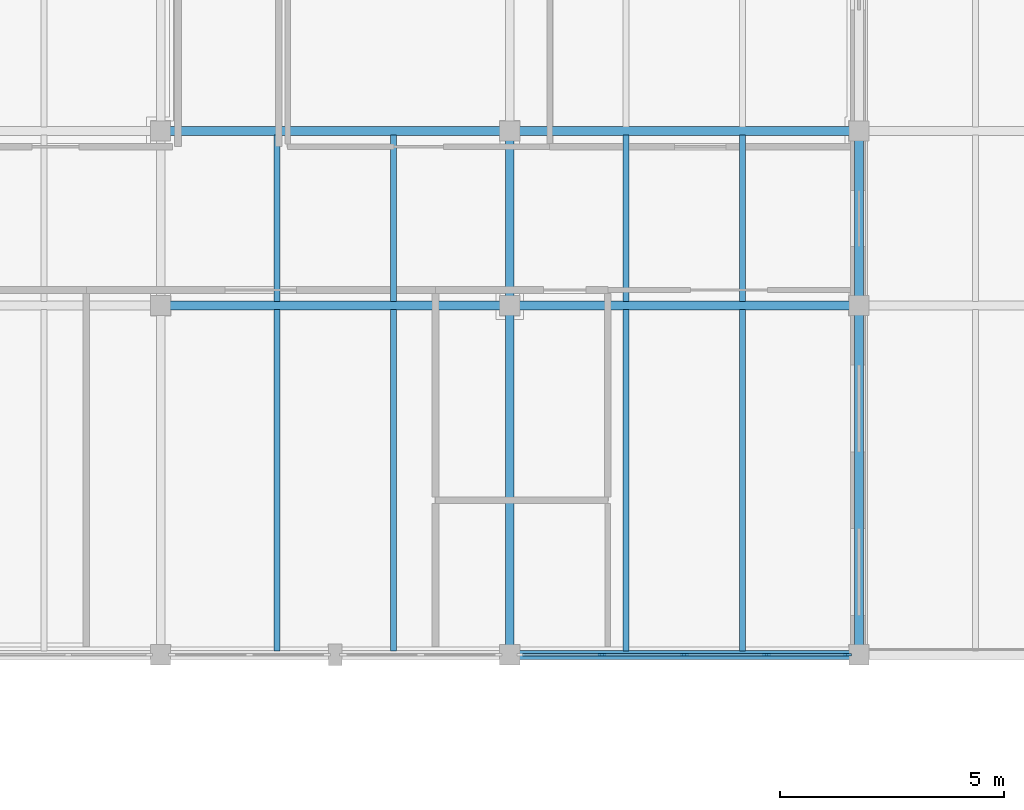
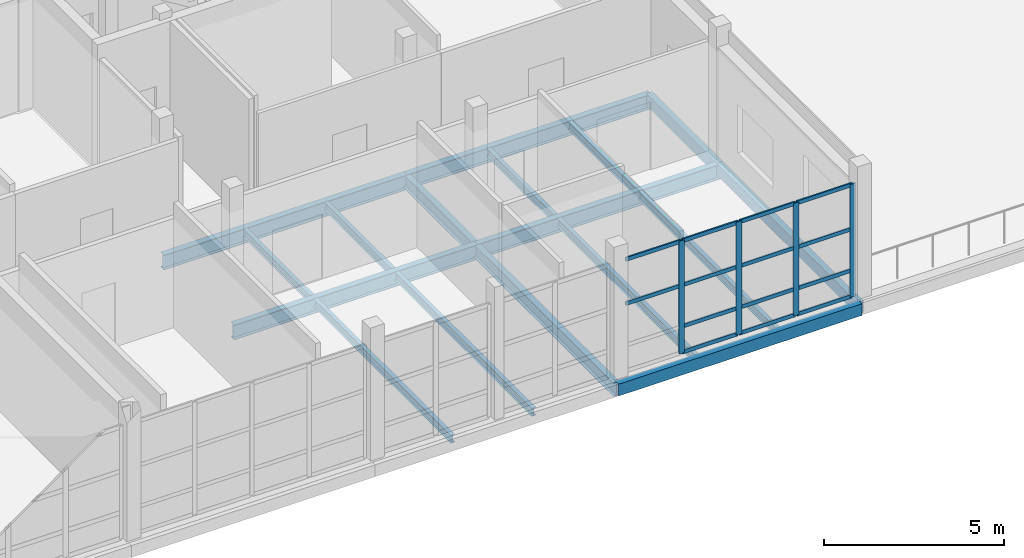
# One storey, part 11 of 45: 18 members, 17 beams, 1 element without a shape of its own.
"""IFC4 building model written with IfcOpenShell, lengths in metres."""

from ifc_helpers import new_model, si_unit, direction, frame, origin, origin_2d, place, context, subcontext, project, spatial, rectangle, hollow_rectangle, i_section, extrude, material, layer, layer_set, material_profile, profile_set, type_object, element, aggregate, save


model = new_model("IFC4")

# Units and contexts
model_context = context("Model", 3, precision=1e-05, world=origin(), true_north=direction((0.0, 1.0)))
body_context = subcontext(model_context, "Body", "Model", "MODEL_VIEW")
ifc_project = project(units=[si_unit("LENGTHUNIT", "METRE"), si_unit("AREAUNIT", "SQUARE_METRE"), si_unit("VOLUMEUNIT", "CUBIC_METRE"), si_unit("PLANEANGLEUNIT", "RADIAN"), si_unit("MASSUNIT", "GRAM", prefix="KILO")], contexts=[model_context])

# Site, building, storey
site_placement = place(None, origin())
site = spatial("IfcSite", under=ifc_project, at=site_placement, CompositionType="ELEMENT")
building_placement = place(site_placement, origin())
building = spatial("IfcBuilding", under=site, at=building_placement, Name="Celorna Specialist Clinic", CompositionType="ELEMENT")
storey_placement = place(building_placement, frame((0.0, 0.0, 18.60009765625)))
storey = spatial("IfcBuildingStorey", under=building, at=storey_placement, Name="L04", CompositionType="ELEMENT", Elevation=18.60009765625)

# Beams
ifc_material_1 = material(Name="Steel S355", Category="steel")
ifc_material_profile_1 = material_profile(ifc_material_1, i_section(OverallWidth=0.199951171875, OverallDepth=0.5, WebThickness=0.01025390625, FlangeThickness=0.01611328125, at=origin_2d()), Name="IPE 500")
ifc_profile_set_1 = profile_set([ifc_material_profile_1], Name="Steel S355")
beam_type_1 = type_object("IfcBeamType", Name="BM-08", PredefinedType="BEAM", material=ifc_profile_set_1)
for number, where, z_axis, x_axis, name in (
    (1, (78.0, 104.300048828125, -0.530029296875), (1.0, 0.0, 0.0), (0.0, 1.0, 0.0), "Primary girder BM-08 #1349"),
    (2, (85.800048828125, 104.300048828125, -0.530029296875), (1.0, 0.0, 0.0), (0.0, 1.0, 0.0), "Primary girder BM-08 #1350"),
    (3, (78.0, 108.199951171875, -0.530029296875), (1.0, 0.0, 0.0), (0.0, 1.0, 0.0), "Primary girder BM-08 #1355"),
    (4, (85.800048828125, 108.199951171875, -0.530029296875), (1.0, 0.0, 0.0), (0.0, 1.0, 0.0), "Primary girder BM-08 #1356"),
):
    element("IfcBeam", number, at=place(storey_placement, frame(where, z_axis=z_axis, x_axis=x_axis)), inside=storey, type_object=beam_type_1, Name=name, PredefinedType="BEAM", context=body_context, shape_type="SweptSolid", body=[
        extrude(i_section(OverallWidth=0.199951171875, OverallDepth=0.5, WebThickness=0.01025390625, FlangeThickness=0.01611328125, at=origin_2d()), origin(), (0.0, 0.0, 1.0), 7.800048828125),
    ])
ifc_material_profile_2 = material_profile(ifc_material_1, i_section(OverallWidth=0.18994140625, OverallDepth=0.449951171875, WebThickness=0.009521484375, FlangeThickness=0.0146484375, at=origin_2d()), Name="IPE 450")
ifc_profile_set_2 = profile_set([ifc_material_profile_2], Name="Steel S355")
beam_type_2 = type_object("IfcBeamType", Name="BM-09", PredefinedType="BEAM", material=ifc_profile_set_2)
beam_1_placement = place(storey_placement, frame((85.800048828125, 96.5, -0.505126953125), z_axis=(0.0, 1.0, 0.0), x_axis=(-1.0, 0.0, 0.0)))
element("IfcBeam", 5, at=beam_1_placement, inside=storey, type_object=beam_type_2, Name="Transverse girder BM-09 #1378", PredefinedType="BEAM", context=body_context, shape_type="SweptSolid", body=[
    extrude(i_section(OverallWidth=0.18994140625, OverallDepth=0.449951171875, WebThickness=0.009521484375, FlangeThickness=0.0146484375, at=origin_2d()), origin(), (0.0, 0.0, 1.0), 7.800048828125),
])
beam_2_placement = place(storey_placement, frame((85.800048828125, 104.300048828125, -0.505126953125), z_axis=(0.0, 1.0, 0.0), x_axis=(-1.0, 0.0, 0.0)))
element("IfcBeam", 6, at=beam_2_placement, inside=storey, type_object=beam_type_2, Name="Transverse girder BM-09 #1379", PredefinedType="BEAM", context=body_context, shape_type="SweptSolid", body=[
    extrude(i_section(OverallWidth=0.18994140625, OverallDepth=0.449951171875, WebThickness=0.009521484375, FlangeThickness=0.0146484375, at=origin_2d()), origin(), (0.0, 0.0, 1.0), 3.89990234375),
])
ifc_material_profile_3 = material_profile(ifc_material_1, i_section(OverallWidth=0.135009765625, OverallDepth=0.27001953125, WebThickness=0.006591796875, FlangeThickness=0.01025390625, at=origin_2d()), Name="IPE 270")
ifc_profile_set_3 = profile_set([ifc_material_profile_3], Name="Steel S355")
beam_type_3 = type_object("IfcBeamType", Name="BM-14", PredefinedType="JOIST", material=ifc_profile_set_3)
for number, where, z_axis, x_axis, name in (
    (7, (80.60009765625, 96.587890625, -0.4150390625), (0.0, 1.0, 0.0), (-1.0, 0.0, 0.0), "Secondary floor joist BM-14 #1406"),
    (8, (83.199951171875, 96.587890625, -0.4150390625), (0.0, 1.0, 0.0), (-1.0, 0.0, 0.0), "Secondary floor joist BM-14 #1407"),
):
    element("IfcBeam", number, at=place(storey_placement, frame(where, z_axis=z_axis, x_axis=x_axis)), inside=storey, type_object=beam_type_3, Name=name, PredefinedType="JOIST", context=body_context, shape_type="SweptSolid", body=[
        extrude(i_section(OverallWidth=0.135009765625, OverallDepth=0.27001953125, WebThickness=0.006591796875, FlangeThickness=0.01025390625, at=origin_2d()), origin(), (0.0, 0.0, 1.0), 7.6240234375),
    ])
for number, where, z_axis, x_axis, name in (
    (9, (80.60009765625, 104.387939453125, -0.4150390625), (0.0, 1.0, 0.0), (-1.0, 0.0, 0.0), "Secondary floor joist BM-14 #1408"),
    (10, (83.199951171875, 104.387939453125, -0.4150390625), (0.0, 1.0, 0.0), (-1.0, 0.0, 0.0), "Secondary floor joist BM-14 #1409"),
):
    element("IfcBeam", number, at=place(storey_placement, frame(where, z_axis=z_axis, x_axis=x_axis)), inside=storey, type_object=beam_type_3, Name=name, PredefinedType="JOIST", context=body_context, shape_type="SweptSolid", body=[
        extrude(i_section(OverallWidth=0.135009765625, OverallDepth=0.27001953125, WebThickness=0.006591796875, FlangeThickness=0.01025390625, at=origin_2d()), origin(), (0.0, 0.0, 1.0), 3.72412109375),
    ])
for number, where, z_axis, x_axis, name in (
    (11, (88.39990234375, 96.587890625, -0.4150390625), (0.0, 1.0, 0.0), (-1.0, 0.0, 0.0), "Secondary floor joist BM-14 #1410"),
    (12, (91.0, 96.587890625, -0.4150390625), (0.0, 1.0, 0.0), (-1.0, 0.0, 0.0), "Secondary floor joist BM-14 #1411"),
):
    element("IfcBeam", number, at=place(storey_placement, frame(where, z_axis=z_axis, x_axis=x_axis)), inside=storey, type_object=beam_type_3, Name=name, PredefinedType="JOIST", context=body_context, shape_type="SweptSolid", body=[
        extrude(i_section(OverallWidth=0.135009765625, OverallDepth=0.27001953125, WebThickness=0.006591796875, FlangeThickness=0.01025390625, at=origin_2d()), origin(), (0.0, 0.0, 1.0), 7.6240234375),
    ])
for number, where, z_axis, x_axis, name in (
    (13, (88.39990234375, 104.387939453125, -0.4150390625), (0.0, 1.0, 0.0), (-1.0, 0.0, 0.0), "Secondary floor joist BM-14 #1412"),
    (14, (91.0, 104.387939453125, -0.4150390625), (0.0, 1.0, 0.0), (-1.0, 0.0, 0.0), "Secondary floor joist BM-14 #1413"),
):
    element("IfcBeam", number, at=place(storey_placement, frame(where, z_axis=z_axis, x_axis=x_axis)), inside=storey, type_object=beam_type_3, Name=name, PredefinedType="JOIST", context=body_context, shape_type="SweptSolid", body=[
        extrude(i_section(OverallWidth=0.135009765625, OverallDepth=0.27001953125, WebThickness=0.006591796875, FlangeThickness=0.01025390625, at=origin_2d()), origin(), (0.0, 0.0, 1.0), 3.72412109375),
    ])
ifc_material_profile_4 = material_profile(ifc_material_1, hollow_rectangle(XDim=0.199951171875, YDim=0.39990234375, WallThickness=0.011962890625, at=origin_2d()), Name="RHS 200x400x12")
ifc_profile_set_4 = profile_set([ifc_material_profile_4], Name="Steel S355")
beam_type_4 = type_object("IfcBeamType", Name="BM-15", PredefinedType="SPANDREL", material=ifc_profile_set_4)
for number, where, z_axis, x_axis, name in (
    (15, (85.800048828125, 96.5, -0.47998046875), (1.0, 0.0, 0.0), (0.0, 1.0, 0.0), "Spandrel beam BM-15 #1344"),
    (16, (93.60009765625, 96.5, -0.47998046875), (0.0, 1.0, 0.0), (-1.0, 0.0, 0.0), "Spandrel beam BM-15 #1381"),
):
    element("IfcBeam", number, at=place(storey_placement, frame(where, z_axis=z_axis, x_axis=x_axis)), inside=storey, type_object=beam_type_4, Name=name, PredefinedType="SPANDREL", context=body_context, shape_type="SweptSolid", body=[
        extrude(hollow_rectangle(XDim=0.199951171875, YDim=0.39990234375, WallThickness=0.011962890625, at=origin_2d()), origin(), (0.0, 0.0, 1.0), 7.800048828125),
    ])
beam_3_placement = place(storey_placement, frame((93.60009765625, 104.300048828125, -0.47998046875), z_axis=(0.0, 1.0, 0.0), x_axis=(-1.0, 0.0, 0.0)))
element("IfcBeam", 17, at=beam_3_placement, inside=storey, type_object=beam_type_4, Name="Spandrel beam BM-15 #1382", PredefinedType="SPANDREL", context=body_context, shape_type="SweptSolid", body=[
    extrude(hollow_rectangle(XDim=0.199951171875, YDim=0.39990234375, WallThickness=0.011962890625, at=origin_2d()), origin(), (0.0, 0.0, 1.0), 3.89990234375),
])

# Curtain wall, members
ifc_material_2 = material(Name="Thermally broken aluminium and solar-control glass curtain wall", Category="aluminium")
ifc_layer = layer(ifc_material_2, 0.159912109375, Name="Thermally broken aluminium and solar-control glass curtain wall")
ifc_layer_set = layer_set([ifc_layer], Name="Thermally broken aluminium and solar-control glass curtain wall")
curtain_wall_type = type_object("IfcCurtainWallType", Name="CW-74", PredefinedType="NOTDEFINED", material=ifc_layer_set)
curtain_wall_placement = place(storey_placement, origin())
curtain_wall = element("IfcCurtainWall", 18, at=curtain_wall_placement, inside=storey, type_object=curtain_wall_type, Name="Curtain wall CW-74 #144", PredefinedType="NOTDEFINED")
ifc_material_3 = material(Name="Anodized aluminium mullion", Category="aluminium")
ifc_material_profile_5 = material_profile(ifc_material_3, rectangle(XDim=0.050048828125, YDim=0.179931640625, at=origin_2d()), Name="ALU MULLION 50x180")
ifc_profile_set_5 = profile_set([ifc_material_profile_5], Name="Anodized aluminium mullion")
member_type_1 = type_object("IfcMemberType", Name="ML-02", PredefinedType="MULLION", material=ifc_profile_set_5)
member_1_placement = place(storey_placement, frame((93.345947265625, 96.5, 0.0), z_axis=(0.0, 0.0, 1.0), x_axis=(0.0, -1.0, 0.0)))
member_1 = element("IfcMember", 19, at=member_1_placement, type_object=member_type_1, Name="CW-74 mullion 1", PredefinedType="MULLION", context=body_context, shape_type="SweptSolid", body=[
    extrude(rectangle(XDim=0.050048828125, YDim=0.179931640625, at=origin_2d()), origin(), (0.0, 0.0, 1.0), 3.81982421875),
])
member_2_placement = place(storey_placement, frame((91.535400390625, 96.5, 0.0), z_axis=(0.0, 0.0, 1.0), x_axis=(0.0, -1.0, 0.0)))
member_2 = element("IfcMember", 20, at=member_2_placement, type_object=member_type_1, Name="CW-74 mullion 2", PredefinedType="MULLION", context=body_context, shape_type="SweptSolid", body=[
    extrude(rectangle(XDim=0.050048828125, YDim=0.179931640625, at=origin_2d()), origin(), (0.0, 0.0, 1.0), 3.81982421875),
])
member_3_placement = place(storey_placement, frame((89.699951171875, 96.5, 0.0), z_axis=(0.0, 0.0, 1.0), x_axis=(0.0, -1.0, 0.0)))
member_3 = element("IfcMember", 21, at=member_3_placement, type_object=member_type_1, Name="CW-74 mullion 3", PredefinedType="MULLION", context=body_context, shape_type="SweptSolid", body=[
    extrude(rectangle(XDim=0.050048828125, YDim=0.179931640625, at=origin_2d()), origin(), (0.0, 0.0, 1.0), 3.81982421875),
])
member_4_placement = place(storey_placement, frame((87.864501953125, 96.5, 0.0), z_axis=(0.0, 0.0, 1.0), x_axis=(0.0, -1.0, 0.0)))
member_4 = element("IfcMember", 22, at=member_4_placement, type_object=member_type_1, Name="CW-74 mullion 4", PredefinedType="MULLION", context=body_context, shape_type="SweptSolid", body=[
    extrude(rectangle(XDim=0.050048828125, YDim=0.179931640625, at=origin_2d()), origin(), (0.0, 0.0, 1.0), 3.81982421875),
])
ifc_material_4 = material(Name="Anodized aluminium transom", Category="aluminium")
ifc_material_profile_6 = material_profile(ifc_material_4, rectangle(XDim=0.050048828125, YDim=0.1298828125, at=origin_2d()), Name="ALU TRANSOM 50x130")
ifc_profile_set_6 = profile_set([ifc_material_profile_6], Name="Anodized aluminium transom")
member_type_2 = type_object("IfcMemberType", Name="TR-01", PredefinedType="USERDEFINED", material=ifc_profile_set_6)
member_5_placement = place(storey_placement, frame((93.321044921875, 96.5, 0.02490234375), z_axis=(-1.0, 0.0, 0.0), x_axis=(0.0, -1.0, 0.0)))
member_5 = element("IfcMember", 23, at=member_5_placement, type_object=member_type_2, Name="CW-74 transom 1.1", ObjectType="TRANSOM", PredefinedType="USERDEFINED", context=body_context, shape_type="SweptSolid", body=[
    extrude(rectangle(XDim=0.050048828125, YDim=0.1298828125, at=origin_2d()), origin(), (0.0, 0.0, 1.0), 1.760498046875),
])
member_6_placement = place(storey_placement, frame((93.321044921875, 96.5, 0.89990234375), z_axis=(-1.0, 0.0, 0.0), x_axis=(0.0, -1.0, 0.0)))
member_6 = element("IfcMember", 24, at=member_6_placement, type_object=member_type_2, Name="CW-74 transom 1.2", ObjectType="TRANSOM", PredefinedType="USERDEFINED", context=body_context, shape_type="SweptSolid", body=[
    extrude(rectangle(XDim=0.050048828125, YDim=0.1298828125, at=origin_2d()), origin(), (0.0, 0.0, 1.0), 1.760498046875),
])
member_7_placement = place(storey_placement, frame((93.321044921875, 96.5, 2.2998046875), z_axis=(-1.0, 0.0, 0.0), x_axis=(0.0, -1.0, 0.0)))
member_7 = element("IfcMember", 25, at=member_7_placement, type_object=member_type_2, Name="CW-74 transom 1.3", ObjectType="TRANSOM", PredefinedType="USERDEFINED", context=body_context, shape_type="SweptSolid", body=[
    extrude(rectangle(XDim=0.050048828125, YDim=0.1298828125, at=origin_2d()), origin(), (0.0, 0.0, 1.0), 1.760498046875),
])
member_8_placement = place(storey_placement, frame((93.321044921875, 96.5, 3.794921875), z_axis=(-1.0, 0.0, 0.0), x_axis=(0.0, -1.0, 0.0)))
member_8 = element("IfcMember", 26, at=member_8_placement, type_object=member_type_2, Name="CW-74 transom 1.4", ObjectType="TRANSOM", PredefinedType="USERDEFINED", context=body_context, shape_type="SweptSolid", body=[
    extrude(rectangle(XDim=0.050048828125, YDim=0.1298828125, at=origin_2d()), origin(), (0.0, 0.0, 1.0), 1.760498046875),
])
member_9_placement = place(storey_placement, frame((91.510498046875, 96.5, 0.02490234375), z_axis=(-1.0, 0.0, 0.0), x_axis=(0.0, -1.0, 0.0)))
member_9 = element("IfcMember", 27, at=member_9_placement, type_object=member_type_2, Name="CW-74 transom 2.1", ObjectType="TRANSOM", PredefinedType="USERDEFINED", context=body_context, shape_type="SweptSolid", body=[
    extrude(rectangle(XDim=0.050048828125, YDim=0.1298828125, at=origin_2d()), origin(), (0.0, 0.0, 1.0), 1.785400390625),
])
member_10_placement = place(storey_placement, frame((91.510498046875, 96.5, 0.89990234375), z_axis=(-1.0, 0.0, 0.0), x_axis=(0.0, -1.0, 0.0)))
member_10 = element("IfcMember", 28, at=member_10_placement, type_object=member_type_2, Name="CW-74 transom 2.2", ObjectType="TRANSOM", PredefinedType="USERDEFINED", context=body_context, shape_type="SweptSolid", body=[
    extrude(rectangle(XDim=0.050048828125, YDim=0.1298828125, at=origin_2d()), origin(), (0.0, 0.0, 1.0), 1.785400390625),
])
member_11_placement = place(storey_placement, frame((91.510498046875, 96.5, 2.2998046875), z_axis=(-1.0, 0.0, 0.0), x_axis=(0.0, -1.0, 0.0)))
member_11 = element("IfcMember", 29, at=member_11_placement, type_object=member_type_2, Name="CW-74 transom 2.3", ObjectType="TRANSOM", PredefinedType="USERDEFINED", context=body_context, shape_type="SweptSolid", body=[
    extrude(rectangle(XDim=0.050048828125, YDim=0.1298828125, at=origin_2d()), origin(), (0.0, 0.0, 1.0), 1.785400390625),
])
member_12_placement = place(storey_placement, frame((91.510498046875, 96.5, 3.794921875), z_axis=(-1.0, 0.0, 0.0), x_axis=(0.0, -1.0, 0.0)))
member_12 = element("IfcMember", 30, at=member_12_placement, type_object=member_type_2, Name="CW-74 transom 2.4", ObjectType="TRANSOM", PredefinedType="USERDEFINED", context=body_context, shape_type="SweptSolid", body=[
    extrude(rectangle(XDim=0.050048828125, YDim=0.1298828125, at=origin_2d()), origin(), (0.0, 0.0, 1.0), 1.785400390625),
])
member_13_placement = place(storey_placement, frame((89.675048828125, 96.5, 0.02490234375), z_axis=(-1.0, 0.0, 0.0), x_axis=(0.0, -1.0, 0.0)))
member_13 = element("IfcMember", 31, at=member_13_placement, type_object=member_type_2, Name="CW-74 transom 3.1", ObjectType="TRANSOM", PredefinedType="USERDEFINED", context=body_context, shape_type="SweptSolid", body=[
    extrude(rectangle(XDim=0.050048828125, YDim=0.1298828125, at=origin_2d()), origin(), (0.0, 0.0, 1.0), 1.78564453125),
])
member_14_placement = place(storey_placement, frame((89.675048828125, 96.5, 0.89990234375), z_axis=(-1.0, 0.0, 0.0), x_axis=(0.0, -1.0, 0.0)))
member_14 = element("IfcMember", 32, at=member_14_placement, type_object=member_type_2, Name="CW-74 transom 3.2", ObjectType="TRANSOM", PredefinedType="USERDEFINED", context=body_context, shape_type="SweptSolid", body=[
    extrude(rectangle(XDim=0.050048828125, YDim=0.1298828125, at=origin_2d()), origin(), (0.0, 0.0, 1.0), 1.78564453125),
])
member_15_placement = place(storey_placement, frame((89.675048828125, 96.5, 2.2998046875), z_axis=(-1.0, 0.0, 0.0), x_axis=(0.0, -1.0, 0.0)))
member_15 = element("IfcMember", 33, at=member_15_placement, type_object=member_type_2, Name="CW-74 transom 3.3", ObjectType="TRANSOM", PredefinedType="USERDEFINED", context=body_context, shape_type="SweptSolid", body=[
    extrude(rectangle(XDim=0.050048828125, YDim=0.1298828125, at=origin_2d()), origin(), (0.0, 0.0, 1.0), 1.78564453125),
])
member_16_placement = place(storey_placement, frame((89.675048828125, 96.5, 3.794921875), z_axis=(-1.0, 0.0, 0.0), x_axis=(0.0, -1.0, 0.0)))
member_16 = element("IfcMember", 34, at=member_16_placement, type_object=member_type_2, Name="CW-74 transom 3.4", ObjectType="TRANSOM", PredefinedType="USERDEFINED", context=body_context, shape_type="SweptSolid", body=[
    extrude(rectangle(XDim=0.050048828125, YDim=0.1298828125, at=origin_2d()), origin(), (0.0, 0.0, 1.0), 1.78564453125),
])
member_17_placement = place(storey_placement, frame((87.839599609375, 96.5, 2.2998046875), z_axis=(-1.0, 0.0, 0.0), x_axis=(0.0, -1.0, 0.0)))
member_17 = element("IfcMember", 35, at=member_17_placement, type_object=member_type_2, Name="CW-74 transom 4.3", ObjectType="TRANSOM", PredefinedType="USERDEFINED", context=body_context, shape_type="SweptSolid", body=[
    extrude(rectangle(XDim=0.050048828125, YDim=0.1298828125, at=origin_2d()), origin(), (0.0, 0.0, 1.0), 1.760498046875),
])
member_18_placement = place(storey_placement, frame((87.839599609375, 96.5, 3.794921875), z_axis=(-1.0, 0.0, 0.0), x_axis=(0.0, -1.0, 0.0)))
member_18 = element("IfcMember", 36, at=member_18_placement, type_object=member_type_2, Name="CW-74 transom 4.4", ObjectType="TRANSOM", PredefinedType="USERDEFINED", context=body_context, shape_type="SweptSolid", body=[
    extrude(rectangle(XDim=0.050048828125, YDim=0.1298828125, at=origin_2d()), origin(), (0.0, 0.0, 1.0), 1.760498046875),
])
aggregate(curtain_wall, [member_1, member_2, member_3, member_4, member_5, member_6, member_7, member_8, member_9, member_10, member_11, member_12, member_13, member_14, member_15, member_16, member_17, member_18])

save(model, "model.ifc")
